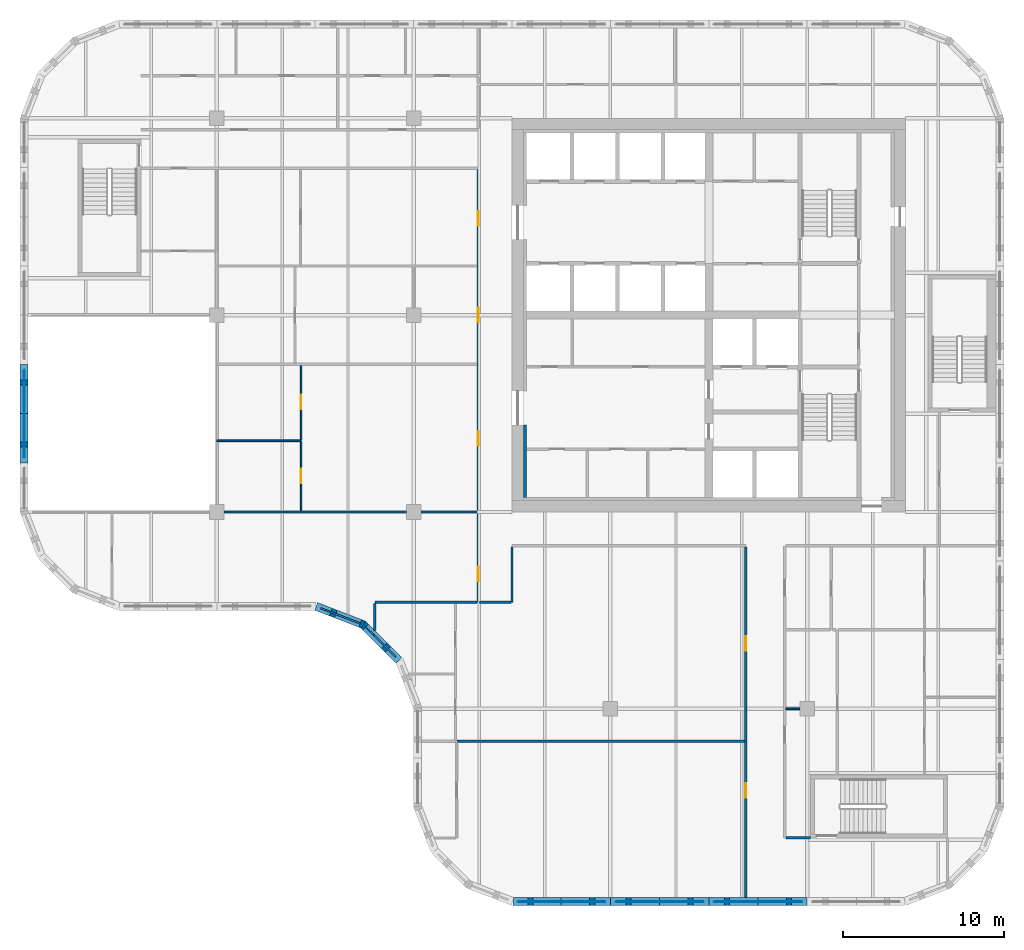
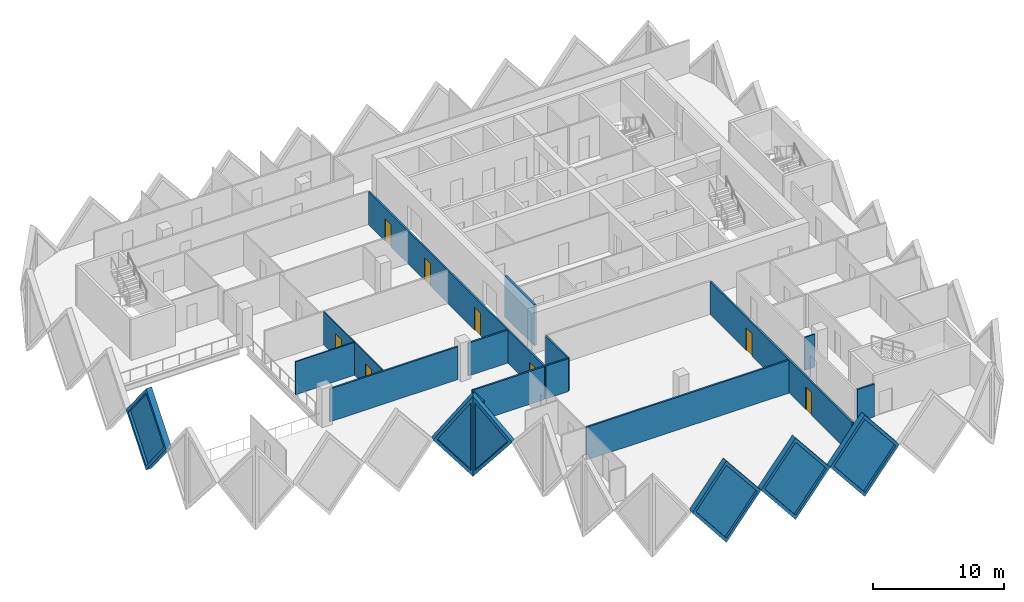
# One storey, part 4 of 12: 21 walls, 8 doors, 6 plates, 14 openings.
"""IFC4 building model written with IfcOpenShell, lengths in metres."""

from ifc_helpers import new_model, si_unit, direction, frame, frame_2d, origin, place, context, subcontext, project, spatial, polyline, rectangle, outline, extrude, faceted_brep, source, transform, mapped, material, layer, layer_set, type_object, element, fill, save


model = new_model("IFC4")

# Units and contexts
model_context = context("Model", 3, precision=1e-05, world=origin(), true_north=direction((0.0, 1.0)))
body_context = subcontext(model_context, "Body", "Model", "MODEL_VIEW")
ifc_project = project(units=[si_unit("LENGTHUNIT", "METRE"), si_unit("AREAUNIT", "SQUARE_METRE"), si_unit("VOLUMEUNIT", "CUBIC_METRE"), si_unit("PLANEANGLEUNIT", "RADIAN"), si_unit("MASSUNIT", "GRAM", prefix="KILO")], contexts=[model_context])

# Site, building, storey
site_placement = place(None, origin())
site = spatial("IfcSite", under=ifc_project, at=site_placement, CompositionType="ELEMENT")
building_placement = place(site_placement, origin())
building = spatial("IfcBuilding", under=site, at=building_placement, Name="Tessera Gate Towers", CompositionType="ELEMENT")
storey_placement = place(building_placement, frame((0.0, 0.0, 139.199951171875)))
storey = spatial("IfcBuildingStorey", under=building, at=storey_placement, Name="L34", CompositionType="ELEMENT", Elevation=139.199951171875)

# Wall
ifc_material_1 = material(Name="Concrete C60/75", Category="concrete")
ifc_layer_1 = layer(ifc_material_1, 0.199951171875)
ifc_layer_set_1 = layer_set([ifc_layer_1], Name="CORE WALL THICKENING 200")
wall_type_1 = type_object("IfcWallType", Name="CORE WALL THICKENING 200", PredefinedType="SOLIDWALL", material=ifc_layer_set_1)
wall_1_placement = place(storey_placement, frame((31.300048828125, 25.300048828125, 0.0), z_axis=(0.0, 0.0, 1.0), x_axis=(0.0, 1.0, 0.0)))
element("IfcWall", 1, at=wall_1_placement, inside=storey, type_object=wall_type_1, Name="Core wall thickening W L34", PredefinedType="SOLIDWALL", context=body_context, shape_type="SweptSolid", body=[
    extrude(rectangle(XDim=4.5, YDim=0.199951171875, at=frame_2d((2.25, 0.0))), origin(), (0.0, 0.0, 1.0), 3.800048828125),
])

# Wall, openings, doors
ifc_material_2 = material(Name="Gypsum board on steel studs, mineral wool", Category="steel")
ifc_layer_2 = layer(ifc_material_2, 0.14990234375)
ifc_layer_set_2 = layer_set([ifc_layer_2], Name="CORRIDOR WALL 150")
wall_type_2 = type_object("IfcWallType", Name="CORRIDOR WALL 150", PredefinedType="PARTITIONING", material=ifc_layer_set_2)
wall_2_placement = place(storey_placement, frame((45.0, 0.5, 0.0), z_axis=(0.0, 0.0, 1.0), x_axis=(0.0, 1.0, 0.0)))
wall_2 = element("IfcWall", 2, at=wall_2_placement, inside=storey, type_object=wall_type_2, Name="T1-L34-PW-001", PredefinedType="PARTITIONING", context=body_context, shape_type="SweptSolid", body=[
    extrude(rectangle(XDim=21.72412109375, YDim=0.14990234375, at=frame_2d((10.862060546875, 0.0))), origin(), (0.0, 0.0, 1.0), 3.067138671875),
])
shared_shape_1 = source(origin(), body_context, "Body", "SweptSolid", [
    extrude(rectangle(XDim=0.89990234375, YDim=2.10009765625, at=frame_2d((0.449951171875, 1.050048828125))), frame((0.0, 0.0849609375, 0.0), z_axis=(0.0, -1.0, 0.0), x_axis=(1.0, 0.0, 0.0)), (0.0, 0.0, 1.0), 0.169921875),
])
opening_1_placement = place(wall_2_placement, frame((6.199951171875, 0.0, 0.0)))
opening_1 = element("IfcOpeningElement", 3, at=opening_1_placement, cuts=wall_2, Name="Opening D890FD60-A12-04", PredefinedType="OPENING", context=body_context, shape_type="MappedRepresentation", body=[
    mapped(shared_shape_1, transform((0.0, 0.0, 0.0), scale=1.0)),
])
opening_2_placement = place(wall_2_placement, frame((15.300048828125, 0.0, 0.0)))
opening_2 = element("IfcOpeningElement", 4, at=opening_2_placement, cuts=wall_2, Name="Opening D890FD60-A12-08", PredefinedType="OPENING", context=body_context, shape_type="MappedRepresentation", body=[
    mapped(shared_shape_1, transform((0.0, 0.0, 0.0), scale=1.0)),
])
ifc_material_3 = material(Name="Timber door leaf in steel frame", Category="steel")
door_type_1 = type_object("IfcDoorType", Name="CORRIDOR DOOR 900 FD60", OperationType="NOTDEFINED", PredefinedType="DOOR", material=ifc_material_3)
shared_shape_2 = source(origin(), body_context, "Body", "SweptSolid", [
    extrude(rectangle(XDim=0.89990234375, YDim=2.10009765625, at=frame_2d((0.449951171875, 1.050048828125))), frame((0.0, 0.02490234375, 0.0), z_axis=(0.0, -1.0, 0.0), x_axis=(1.0, 0.0, 0.0)), (0.0, 0.0, 1.0), 0.050048828125),
])
door_1_placement = place(opening_1_placement, origin())
door_1 = element("IfcDoor", 5, at=door_1_placement, inside=storey, type_object=door_type_1, Name="T1-L34-PD-020", OperationType="SINGLE_SWING_LEFT", OverallHeight=2.10009765625, OverallWidth=0.89990234375, PredefinedType="DOOR", context=body_context, shape_type="MappedRepresentation", body=[
    mapped(shared_shape_2, transform((0.0, 0.0, 0.0), scale=1.0)),
])
fill(opening_1, door_1)
door_2_placement = place(opening_2_placement, origin())
door_2 = element("IfcDoor", 6, at=door_2_placement, inside=storey, type_object=door_type_1, Name="T1-L34-PD-028", OperationType="SINGLE_SWING_LEFT", OverallHeight=2.10009765625, OverallWidth=0.89990234375, PredefinedType="DOOR", context=body_context, shape_type="MappedRepresentation", body=[
    mapped(shared_shape_2, transform((0.0, 0.0, 0.0), scale=1.0)),
])
fill(opening_2, door_2)

# Wall
wall_3_placement = place(storey_placement, frame((47.47607421875, 4.199951171875, 0.0), z_axis=(0.0, 0.0, 1.0), x_axis=(1.0, 0.0, 0.0)))
element("IfcWall", 7, at=wall_3_placement, inside=storey, type_object=wall_type_2, Name="T1-L34-PW-006", PredefinedType="PARTITIONING", context=body_context, shape_type="SweptSolid", body=[
    extrude(rectangle(XDim=1.52392578125, YDim=0.14990234375, at=frame_2d((0.761962890625, 0.0))), origin(), (0.0, 0.0, 1.0), 3.067138671875),
])

# Wall, openings, doors
wall_4_placement = place(storey_placement, frame((28.39990234375, 18.800048828125, 0.0), z_axis=(0.0, 0.0, 1.0), x_axis=(0.0, 1.0, 0.0)))
wall_4 = element("IfcWall", 8, at=wall_4_placement, inside=storey, type_object=wall_type_2, Name="T1-L34-PW-022", PredefinedType="PARTITIONING", context=body_context, shape_type="SweptSolid", body=[
    extrude(rectangle(XDim=26.823974609375, YDim=0.14990234375, at=frame_2d((13.412109375, 0.0))), origin(), (0.0, 0.0, 1.0), 3.067138671875),
])
opening_3_placement = place(wall_4_placement, frame((1.300048828125, 0.0, 0.0)))
opening_3 = element("IfcOpeningElement", 9, at=opening_3_placement, cuts=wall_4, Name="Opening D890FD60-A12-01", PredefinedType="OPENING", context=body_context, shape_type="MappedRepresentation", body=[
    mapped(shared_shape_1, transform((0.0, 0.0, 0.0), scale=1.0)),
])
opening_4_placement = place(wall_4_placement, frame((23.35107421875, 0.0, 0.0)))
opening_4 = element("IfcOpeningElement", 10, at=opening_4_placement, cuts=wall_4, Name="Opening D890FD60-A12-03", PredefinedType="OPENING", context=body_context, shape_type="MappedRepresentation", body=[
    mapped(shared_shape_1, transform((0.0, 0.0, 0.0), scale=1.0)),
])
opening_5_placement = place(wall_4_placement, frame((17.35107421875, 0.0, 0.0)))
opening_5 = element("IfcOpeningElement", 11, at=opening_5_placement, cuts=wall_4, Name="Opening D890FD60-A12-05", PredefinedType="OPENING", context=body_context, shape_type="MappedRepresentation", body=[
    mapped(shared_shape_1, transform((0.0, 0.0, 0.0), scale=1.0)),
])
opening_6_placement = place(wall_4_placement, frame((9.699951171875, 0.0, 0.0)))
opening_6 = element("IfcOpeningElement", 12, at=opening_6_placement, cuts=wall_4, Name="Opening D890FD60-A12-07", PredefinedType="OPENING", context=body_context, shape_type="MappedRepresentation", body=[
    mapped(shared_shape_1, transform((0.0, 0.0, 0.0), scale=1.0)),
])
door_3_placement = place(opening_3_placement, origin())
door_3 = element("IfcDoor", 13, at=door_3_placement, inside=storey, type_object=door_type_1, Name="T1-L34-PD-001", OperationType="SINGLE_SWING_LEFT", OverallHeight=2.10009765625, OverallWidth=0.89990234375, PredefinedType="DOOR", context=body_context, shape_type="MappedRepresentation", body=[
    mapped(shared_shape_2, transform((0.0, 0.0, 0.0), scale=1.0)),
])
fill(opening_3, door_3)
door_4_placement = place(opening_4_placement, origin())
door_4 = element("IfcDoor", 14, at=door_4_placement, inside=storey, type_object=door_type_1, Name="T1-L34-PD-019", OperationType="SINGLE_SWING_LEFT", OverallHeight=2.10009765625, OverallWidth=0.89990234375, PredefinedType="DOOR", context=body_context, shape_type="MappedRepresentation", body=[
    mapped(shared_shape_2, transform((0.0, 0.0, 0.0), scale=1.0)),
])
fill(opening_4, door_4)
door_5_placement = place(opening_5_placement, origin())
door_5 = element("IfcDoor", 15, at=door_5_placement, inside=storey, type_object=door_type_1, Name="T1-L34-PD-021", OperationType="SINGLE_SWING_LEFT", OverallHeight=2.10009765625, OverallWidth=0.89990234375, PredefinedType="DOOR", context=body_context, shape_type="MappedRepresentation", body=[
    mapped(shared_shape_2, transform((0.0, 0.0, 0.0), scale=1.0)),
])
fill(opening_5, door_5)
door_6_placement = place(opening_6_placement, origin())
door_6 = element("IfcDoor", 16, at=door_6_placement, inside=storey, type_object=door_type_1, Name="T1-L34-PD-027", OperationType="SINGLE_SWING_LEFT", OverallHeight=2.10009765625, OverallWidth=0.89990234375, PredefinedType="DOOR", context=body_context, shape_type="MappedRepresentation", body=[
    mapped(shared_shape_2, transform((0.0, 0.0, 0.0), scale=1.0)),
])
fill(opening_6, door_6)

# Walls
wall_5_placement = place(storey_placement, frame((28.47607421875, 18.800048828125, 0.0), z_axis=(0.0, 0.0, 1.0), x_axis=(1.0, 0.0, 0.0)))
element("IfcWall", 17, at=wall_5_placement, inside=storey, type_object=wall_type_2, Name="T1-L34-PW-023", PredefinedType="PARTITIONING", context=body_context, shape_type="SweptSolid", body=[
    extrude(rectangle(XDim=1.947998046875, YDim=0.14990234375, at=frame_2d((0.97412109375, 0.0))), origin(), (0.0, 0.0, 1.0), 3.067138671875),
])
wall_6_placement = place(storey_placement, frame((30.5, 18.800048828125, 0.0), z_axis=(0.0, 0.0, 1.0), x_axis=(0.0, 1.0, 0.0)))
element("IfcWall", 18, at=wall_6_placement, inside=storey, type_object=wall_type_2, Name="T1-L34-PW-024", PredefinedType="PARTITIONING", context=body_context, shape_type="SweptSolid", body=[
    extrude(rectangle(XDim=3.424072265625, YDim=0.14990234375, at=frame_2d((1.7119140625, 0.0))), origin(), (0.0, 0.0, 1.0), 3.067138671875),
])
ifc_material_4 = material(Name="Gypsum board on steel studs", Category="steel")
ifc_layer_3 = layer(ifc_material_4, 0.10009765625)
ifc_layer_set_3 = layer_set([ifc_layer_3], Name="PARTITION 100")
wall_type_3 = type_object("IfcWallType", Name="PARTITION 100", PredefinedType="PARTITIONING", material=ifc_layer_set_3)
wall_7_placement = place(storey_placement, frame((48.35009765625, 12.199951171875, 0.0), z_axis=(0.0, 0.0, 1.0), x_axis=(-1.0, 0.0, 0.0)))
element("IfcWall", 19, at=wall_7_placement, inside=storey, type_object=wall_type_3, Name="T1-L34-PW-012", PredefinedType="PARTITIONING", context=body_context, shape_type="SweptSolid", body=[
    extrude(rectangle(XDim=0.875, YDim=0.10009765625, at=frame_2d((0.4375, 0.0))), origin(), (0.0, 0.0, 1.0), 3.067138671875),
])

# Wall, opening, door
wall_8_placement = place(storey_placement, frame((17.425048828125, 24.47607421875, 0.0), z_axis=(0.0, 0.0, 1.0), x_axis=(0.0, 1.0, 0.0)))
wall_8 = element("IfcWall", 20, at=wall_8_placement, inside=storey, type_object=wall_type_3, Name="T1-L34-PW-032", PredefinedType="PARTITIONING", context=body_context, shape_type="SweptSolid", body=[
    extrude(rectangle(XDim=4.293212890625, YDim=0.10009765625, at=frame_2d((2.146484375, 0.0))), origin(), (0.0, 0.0, 1.0), 3.067138671875),
])
shared_shape_3 = source(origin(), body_context, "Body", "SweptSolid", [
    extrude(rectangle(XDim=0.89990234375, YDim=2.10009765625, at=frame_2d((0.449951171875, 1.050048828125))), frame((0.0, 0.06005859375, 0.0), z_axis=(0.0, -1.0, 0.0), x_axis=(1.0, 0.0, 0.0)), (0.0, 0.0, 1.0), 0.1201171875),
])
opening_7_placement = place(wall_8_placement, frame((1.699951171875, 0.0, 0.0)))
opening_7 = element("IfcOpeningElement", 21, at=opening_7_placement, cuts=wall_8, Name="Opening D190-A12-04", PredefinedType="OPENING", context=body_context, shape_type="MappedRepresentation", body=[
    mapped(shared_shape_3, transform((0.0, 0.0, 0.0), scale=1.0)),
])
ifc_material_5 = material(Name="Timber door leaf in steel frame", Category="steel")
door_type_2 = type_object("IfcDoorType", Name="INTERNAL DOOR 900 NOT RATED", OperationType="NOTDEFINED", PredefinedType="DOOR", material=ifc_material_5)
door_7_placement = place(opening_7_placement, origin())
door_7 = element("IfcDoor", 22, at=door_7_placement, inside=storey, type_object=door_type_2, Name="T1-L34-PD-005", OperationType="SINGLE_SWING_LEFT", OverallHeight=2.10009765625, OverallWidth=0.89990234375, PredefinedType="DOOR", context=body_context, shape_type="MappedRepresentation", body=[
    mapped(shared_shape_2, transform((0.0, 0.0, 0.0), scale=1.0)),
])
fill(opening_7, door_7)

# Wall
wall_9_placement = place(storey_placement, frame((12.199951171875, 28.820068359375, 0.0), z_axis=(0.0, 0.0, 1.0), x_axis=(1.0, 0.0, 0.0)))
element("IfcWall", 23, at=wall_9_placement, inside=storey, type_object=wall_type_3, Name="T1-L34-PW-033", PredefinedType="PARTITIONING", context=body_context, shape_type="SweptSolid", body=[
    extrude(rectangle(XDim=5.22509765625, YDim=0.10009765625, at=frame_2d((2.612548828125, 0.0))), origin(), (0.0, 0.0, 1.0), 3.067138671875),
])

# Wall, opening, door
wall_10_placement = place(storey_placement, frame((17.425048828125, 28.871337890625, 0.0), z_axis=(0.0, 0.0, 1.0), x_axis=(0.0, 1.0, 0.0)))
wall_10 = element("IfcWall", 24, at=wall_10_placement, inside=storey, type_object=wall_type_3, Name="T1-L34-PW-034", PredefinedType="PARTITIONING", context=body_context, shape_type="SweptSolid", body=[
    extrude(rectangle(XDim=4.602783203125, YDim=0.10009765625, at=frame_2d((2.30126953125, 0.0))), origin(), (0.0, 0.0, 1.0), 3.067138671875),
])
opening_8_placement = place(wall_10_placement, frame((1.89990234375, 0.0, 0.0)))
opening_8 = element("IfcOpeningElement", 25, at=opening_8_placement, cuts=wall_10, Name="Opening D190-A12-07", PredefinedType="OPENING", context=body_context, shape_type="MappedRepresentation", body=[
    mapped(shared_shape_3, transform((0.0, 0.0, 0.0), scale=1.0)),
])
door_8_placement = place(opening_8_placement, origin())
door_8 = element("IfcDoor", 26, at=door_8_placement, inside=storey, type_object=door_type_2, Name="T1-L34-PD-008", OperationType="SINGLE_SWING_LEFT", OverallHeight=2.10009765625, OverallWidth=0.89990234375, PredefinedType="DOOR", context=body_context, shape_type="MappedRepresentation", body=[
    mapped(shared_shape_2, transform((0.0, 0.0, 0.0), scale=1.0)),
])
fill(opening_8, door_8)

# Walls
ifc_material_6 = material(Name="Gypsum board on steel studs, mineral wool", Category="steel")
ifc_layer_4 = layer(ifc_material_6, 0.14990234375)
ifc_layer_set_4 = layer_set([ifc_layer_4], Name="TENANCY WALL 150")
wall_type_4 = type_object("IfcWallType", Name="TENANCY WALL 150", PredefinedType="PARTITIONING", material=ifc_layer_set_4)
wall_11_placement = place(storey_placement, frame((27.074951171875, 10.199951171875, 0.0), z_axis=(0.0, 0.0, 1.0), x_axis=(1.0, 0.0, 0.0)))
element("IfcWall", 27, at=wall_11_placement, inside=storey, type_object=wall_type_4, Name="T1-L34-PW-010", PredefinedType="PARTITIONING", context=body_context, shape_type="SweptSolid", body=[
    extrude(rectangle(XDim=17.84912109375, YDim=0.14990234375, at=frame_2d((8.924560546875, 0.0))), origin(), (0.0, 0.0, 1.0), 3.067138671875),
])
wall_12_placement = place(storey_placement, frame((22.0, 17.054931640625, 0.0), z_axis=(0.0, 0.0, 1.0), x_axis=(0.0, 1.0, 0.0)))
element("IfcWall", 28, at=wall_12_placement, inside=storey, type_object=wall_type_4, Name="T1-L34-PW-015", PredefinedType="PARTITIONING", context=body_context, shape_type="SweptSolid", body=[
    extrude(rectangle(XDim=1.669189453125, YDim=0.14990234375, at=frame_2d((0.83447265625, 0.0))), origin(), (0.0, 0.0, 1.0), 3.067138671875),
])
wall_13_placement = place(storey_placement, frame((22.0, 18.800048828125, 0.0), z_axis=(0.0, 0.0, 1.0), x_axis=(1.0, 0.0, 0.0)))
element("IfcWall", 29, at=wall_13_placement, inside=storey, type_object=wall_type_4, Name="T1-L34-PW-021", PredefinedType="PARTITIONING", context=body_context, shape_type="SweptSolid", body=[
    extrude(rectangle(XDim=6.323974609375, YDim=0.14990234375, at=frame_2d((3.162109375, 0.0))), origin(), (0.0, 0.0, 1.0), 3.067138671875),
])
wall_14_placement = place(storey_placement, frame((12.65087890625, 24.39990234375, 0.0), z_axis=(0.0, 0.0, 1.0), x_axis=(1.0, 0.0, 0.0)))
element("IfcWall", 30, at=wall_14_placement, inside=storey, type_object=wall_type_4, Name="T1-L34-PW-030", PredefinedType="PARTITIONING", context=body_context, shape_type="SweptSolid", body=[
    extrude(rectangle(XDim=11.298095703125, YDim=0.14990234375, at=frame_2d((5.64892578125, 0.0))), origin(), (0.0, 0.0, 1.0), 3.067138671875),
])
wall_15_placement = place(storey_placement, frame((24.85107421875, 24.39990234375, 0.0), z_axis=(0.0, 0.0, 1.0), x_axis=(1.0, 0.0, 0.0)))
element("IfcWall", 31, at=wall_15_placement, inside=storey, type_object=wall_type_4, Name="T1-L34-PW-031", PredefinedType="PARTITIONING", context=body_context, shape_type="SweptSolid", body=[
    extrude(rectangle(XDim=3.472900390625, YDim=0.14990234375, at=frame_2d((1.736328125, 0.0))), origin(), (0.0, 0.0, 1.0), 3.067138671875),
])

# Wall, opening, plate
ifc_material_7 = material(Name="Precast concrete C60/75 white", Category="concrete")
ifc_layer_5 = layer(ifc_material_7, 0.5)
ifc_layer_set_5 = layer_set([ifc_layer_5], Name="TS1 tessera")
wall_type_5 = type_object("IfcWallType", Name="TS1 tessera", PredefinedType="SOLIDWALL", material=ifc_layer_set_5)
shared_shape_4 = source(origin(), body_context, "Body", "Brep", [
    faceted_brep([(3.00341796875, -0.25, 0.0), (6.053466796875, -0.25, 3.800048828125), (3.00341796875, -0.25, 7.60009765625), (0.0, -0.25, 3.800048828125), (0.046630859375, 0.25, 3.85888671875), (3.00341796875, 0.25, 7.60009765625), (6.053466796875, 0.25, 3.800048828125), (3.00341796875, 0.25, 0.0), (0.046630859375, 0.25, 3.7412109375), (0.0, 0.0, 3.800048828125)], [[[0, 1, 2, 3]], [[4, 5, 6, 7, 8]], [[7, 6, 1, 0]], [[6, 5, 2, 1]], [[5, 4, 9, 3, 2]], [[8, 7, 0, 3, 9]], [[8, 9, 4]]]),
])
wall_16_placement = place(storey_placement, frame((30.546630859375, 0.25, -3.800048828125), z_axis=(0.0, 0.0, 1.0), x_axis=(1.0, 0.0, 0.0)))
wall_16 = element("IfcWall", 32, at=wall_16_placement, inside=storey, type_object=wall_type_5, Name="Precast tessera T1 TS1-0575", PredefinedType="SOLIDWALL", context=body_context, shape_type="MappedRepresentation", body=[
    mapped(shared_shape_4, transform((0.0, 0.0, 0.0), scale=1.0)),
])
shared_shape_5 = source(origin(), body_context, "Body", "SweptSolid", [
    extrude(outline(polyline([(3.0048828125, 0.4013671875), (5.73291015625, 3.800048828125), (3.0048828125, 7.19873046875), (0.318603515625, 3.800048828125), (3.0048828125, 0.4013671875)])), frame((0.0, 0.260009765625, 0.0), z_axis=(0.0, -1.0, 0.0), x_axis=(1.0, 0.0, 0.0)), (0.0, 0.0, 1.0), 0.52001953125),
])
opening_9_placement = place(wall_16_placement, origin())
opening_9 = element("IfcOpeningElement", 33, at=opening_9_placement, cuts=wall_16, Name="Opening T1-PL2-1175", PredefinedType="OPENING", context=body_context, shape_type="MappedRepresentation", body=[
    mapped(shared_shape_5, transform((0.0, 0.0, 0.0), scale=1.0)),
])
ifc_material_8 = material(Name="Low-e laminated glass", Category="glass")
ifc_layer_6 = layer(ifc_material_8, 0.06005859375)
ifc_layer_set_6 = layer_set([ifc_layer_6], Name="PL2 rhombic pane")
plate_type = type_object("IfcPlateType", Name="PL2 rhombic pane", PredefinedType="SHEET", material=ifc_layer_set_6)
shared_shape_6 = source(origin(), body_context, "Body", "SweptSolid", [
    extrude(outline(polyline([(3.0048828125, 0.4013671875), (5.73291015625, 3.800048828125), (3.0048828125, 7.19873046875), (0.318603515625, 3.800048828125), (3.0048828125, 0.4013671875)])), frame((0.0, 0.030029296875, 0.0), z_axis=(0.0, -1.0, 0.0), x_axis=(1.0, 0.0, 0.0)), (0.0, 0.0, 1.0), 0.06005859375),
])
plate_1_placement = place(opening_9_placement, origin())
plate_1 = element("IfcPlate", 34, at=plate_1_placement, inside=storey, type_object=plate_type, Name="Glass pane T1 PL2-1175", PredefinedType="SHEET", context=body_context, shape_type="MappedRepresentation", body=[
    mapped(shared_shape_6, transform((0.0, 0.0, 0.0), scale=1.0)),
])
fill(opening_9, plate_1)

shared_shape_7 = source(origin(), body_context, "Body", "Brep", [
    faceted_brep([(3.050048828125, -0.25, 0.0), (6.099853515625, -0.25, 3.7998046875), (6.099853515625, -0.25, 3.80029296875), (3.050048828125, -0.25, 7.60009765625), (0.0, -0.25, 3.800048828125), (0.0, 0.25, 3.800048828125), (3.050048828125, 0.25, 7.60009765625), (6.099853515625, 0.25, 3.80029296875), (6.099853515625, 0.25, 3.7998046875), (3.050048828125, 0.25, 0.0)], [[[0, 1, 2, 3, 4]], [[5, 6, 7, 8, 9]], [[9, 8, 1, 0]], [[7, 6, 3, 2]], [[6, 5, 4, 3]], [[5, 9, 0, 4]], [[1, 8, 7, 2]]]),
])
wall_17_placement = place(storey_placement, frame((36.60009765625, 0.25, -3.800048828125), z_axis=(0.0, 0.0, 1.0), x_axis=(1.0, 0.0, 0.0)))
wall_17 = element("IfcWall", 35, at=wall_17_placement, inside=storey, type_object=wall_type_5, Name="Precast tessera T1 TS1-0576", PredefinedType="SOLIDWALL", context=body_context, shape_type="MappedRepresentation", body=[
    mapped(shared_shape_7, transform((0.0, 0.0, 0.0), scale=1.0)),
])
shared_shape_8 = source(origin(), body_context, "Body", "SweptSolid", [
    extrude(outline(polyline([(3.050048828125, 0.3994140625), (5.779541015625, 3.800048828125), (3.050048828125, 7.20068359375), (0.320556640625, 3.800048828125), (3.050048828125, 0.3994140625)])), frame((0.0, 0.260009765625, 0.0), z_axis=(0.0, -1.0, 0.0), x_axis=(1.0, 0.0, 0.0)), (0.0, 0.0, 1.0), 0.52001953125),
])
opening_10_placement = place(wall_17_placement, origin())
opening_10 = element("IfcOpeningElement", 36, at=opening_10_placement, cuts=wall_17, Name="Opening T1-PL2-1176", PredefinedType="OPENING", context=body_context, shape_type="MappedRepresentation", body=[
    mapped(shared_shape_8, transform((0.0, 0.0, 0.0), scale=1.0)),
])
shared_shape_9 = source(origin(), body_context, "Body", "SweptSolid", [
    extrude(outline(polyline([(3.050048828125, 0.3994140625), (5.779541015625, 3.800048828125), (3.050048828125, 7.20068359375), (0.320556640625, 3.800048828125), (3.050048828125, 0.3994140625)])), frame((0.0, 0.030029296875, 0.0), z_axis=(0.0, -1.0, 0.0), x_axis=(1.0, 0.0, 0.0)), (0.0, 0.0, 1.0), 0.06005859375),
])
plate_2_placement = place(opening_10_placement, origin())
plate_2 = element("IfcPlate", 37, at=plate_2_placement, inside=storey, type_object=plate_type, Name="Glass pane T1 PL2-1176", PredefinedType="SHEET", context=body_context, shape_type="MappedRepresentation", body=[
    mapped(shared_shape_9, transform((0.0, 0.0, 0.0), scale=1.0)),
])
fill(opening_10, plate_2)

shared_shape_10 = source(origin(), body_context, "Body", "SweptSolid", [
    extrude(outline(polyline([(3.050048828125, 0.0), (6.10009765625, 3.800048828125), (3.050048828125, 7.60009765625), (0.0, 3.800048828125), (3.050048828125, 0.0)])), frame((0.0, 0.25, 0.0), z_axis=(0.0, -1.0, 0.0), x_axis=(1.0, 0.0, 0.0)), (0.0, 0.0, 1.0), 0.5),
])
wall_18_placement = place(storey_placement, frame((42.699951171875, 0.25, -3.800048828125), z_axis=(0.0, 0.0, 1.0), x_axis=(1.0, 0.0, 0.0)))
wall_18 = element("IfcWall", 38, at=wall_18_placement, inside=storey, type_object=wall_type_5, Name="Precast tessera T1 TS1-0577", PredefinedType="SOLIDWALL", context=body_context, shape_type="MappedRepresentation", body=[
    mapped(shared_shape_10, transform((0.0, 0.0, 0.0), scale=1.0)),
])
opening_11_placement = place(wall_18_placement, origin())
opening_11 = element("IfcOpeningElement", 39, at=opening_11_placement, cuts=wall_18, Name="Opening T1-PL2-1177", PredefinedType="OPENING", context=body_context, shape_type="MappedRepresentation", body=[
    mapped(shared_shape_8, transform((0.0, 0.0, 0.0), scale=1.0)),
])
plate_3_placement = place(opening_11_placement, origin())
plate_3 = element("IfcPlate", 40, at=plate_3_placement, inside=storey, type_object=plate_type, Name="Glass pane T1 PL2-1177", PredefinedType="SHEET", context=body_context, shape_type="MappedRepresentation", body=[
    mapped(shared_shape_9, transform((0.0, 0.0, 0.0), scale=1.0)),
])
fill(opening_11, plate_3)

wall_19_placement = place(storey_placement, frame((0.25, 33.550048828125, -3.800048828125), z_axis=(0.0, 0.0, 1.0), x_axis=(0.0, -1.0, 0.0)))
wall_19 = element("IfcWall", 41, at=wall_19_placement, inside=storey, type_object=wall_type_5, Name="Precast tessera T1 TS1-0595", PredefinedType="SOLIDWALL", context=body_context, shape_type="MappedRepresentation", body=[
    mapped(shared_shape_10, transform((0.0, 0.0, 0.0), scale=1.0)),
])
opening_12_placement = place(wall_19_placement, origin())
opening_12 = element("IfcOpeningElement", 42, at=opening_12_placement, cuts=wall_19, Name="Opening T1-PL2-1207", PredefinedType="OPENING", context=body_context, shape_type="MappedRepresentation", body=[
    mapped(shared_shape_8, transform((0.0, 0.0, 0.0), scale=1.0)),
])
plate_4_placement = place(opening_12_placement, origin())
plate_4 = element("IfcPlate", 43, at=plate_4_placement, inside=storey, type_object=plate_type, Name="Glass pane T1 PL2-1207", PredefinedType="SHEET", context=body_context, shape_type="MappedRepresentation", body=[
    mapped(shared_shape_9, transform((0.0, 0.0, 0.0), scale=1.0)),
])
fill(opening_12, plate_4)

ifc_material_9 = material(Name="Precast concrete C60/75 white", Category="concrete")
ifc_layer_7 = layer(ifc_material_9, 0.5)
ifc_layer_set_7 = layer_set([ifc_layer_7], Name="TS3 corner tessera")
wall_type_6 = type_object("IfcWallType", Name="TS3 corner tessera", PredefinedType="SOLIDWALL", material=ifc_layer_set_7)
shared_shape_11 = source(origin(), body_context, "Body", "Brep", [
    faceted_brep([(3.096435546875, -0.25, 7.536376953125), (0.046630859375, -0.25, 3.856201171875), (0.046630859375, -0.25, 3.743896484375), (3.096435546875, -0.25, 0.063720703125), (0.0, 0.25, 3.800048828125), (3.1494140625, 0.25, 7.60009765625), (3.202392578125, 0.25, 7.536376953125), (3.202392578125, 0.25, 0.063720703125), (3.1494140625, 0.25, 0.0), (3.1494140625, -0.000244140625, 0.0), (3.1494140625, -0.000244140625, 7.60009765625), (0.0, 0.0, 3.800048828125)], [[[0, 1, 2, 3]], [[4, 5, 6, 7, 8]], [[8, 7, 9]], [[6, 5, 10]], [[5, 4, 11, 1, 0, 10]], [[4, 8, 9, 3, 2, 11]], [[11, 2, 1]], [[3, 9, 7, 6, 10, 0]]]),
])
wall_20_placement = place(storey_placement, frame((18.346435546875, 18.550048828125, -3.800048828125), z_axis=(0.0, 0.0, 1.0), x_axis=(0.932985567668, -0.359913782069, 0.0)))
wall_20 = element("IfcWall", 44, at=wall_20_placement, inside=storey, type_object=wall_type_6, Name="Precast corner tessera T1 TS3-0785", PredefinedType="SOLIDWALL", context=body_context, shape_type="MappedRepresentation", body=[
    mapped(shared_shape_11, transform((0.0, 0.0, 0.0), scale=1.0)),
])
shared_shape_12 = source(origin(), body_context, "Body", "SweptSolid", [
    extrude(outline(polyline([(2.949462890625, 6.967041015625), (0.32470703125, 3.800048828125), (2.949462890625, 0.63330078125), (2.949462890625, 6.967041015625)])), frame((0.0, 0.260009765625, 0.0), z_axis=(0.0, -1.0, 0.0), x_axis=(1.0, 0.0, 0.0)), (0.0, 0.0, 1.0), 0.52001953125),
])
opening_13_placement = place(wall_20_placement, origin())
opening_13 = element("IfcOpeningElement", 45, at=opening_13_placement, cuts=wall_20, Name="Opening T1-PL2-1214", PredefinedType="OPENING", context=body_context, shape_type="MappedRepresentation", body=[
    mapped(shared_shape_12, transform((0.0, 0.0, 0.0), scale=1.0)),
])
shared_shape_13 = source(origin(), body_context, "Body", "SweptSolid", [
    extrude(outline(polyline([(2.949462890625, 6.967041015625), (0.32470703125, 3.800048828125), (2.949462890625, 0.63330078125), (2.949462890625, 6.967041015625)])), frame((0.0, 0.030029296875, 0.0), z_axis=(0.0, -1.0, 0.0), x_axis=(1.0, 0.0, 0.0)), (0.0, 0.0, 1.0), 0.06005859375),
])
plate_5_placement = place(opening_13_placement, origin())
plate_5 = element("IfcPlate", 46, at=plate_5_placement, inside=storey, type_object=plate_type, Name="Glass pane T1 PL2-1214", PredefinedType="SHEET", context=body_context, shape_type="MappedRepresentation", body=[
    mapped(shared_shape_13, transform((0.0, 0.0, 0.0), scale=1.0)),
])
fill(opening_13, plate_5)

shared_shape_14 = source(origin(), body_context, "Body", "Brep", [
    faceted_brep([(0.10595703125, -0.25, 0.063720703125), (3.156005859375, -0.25, 3.736328125), (3.156005859375, -0.25, 3.86376953125), (0.10595703125, -0.25, 7.536376953125), (0.0, 0.25, 7.5361328125), (0.052978515625, 0.25, 7.60009765625), (3.208740234375, 0.25, 3.800048828125), (0.052978515625, 0.25, 0.0), (0.0, 0.25, 0.06396484375), (3.208740234375, -0.00048828125, 3.800048828125), (0.052978515625, 0.0, 0.0), (0.052978515625, 0.0, 7.60009765625)], [[[0, 1, 2, 3]], [[4, 5, 6, 7, 8]], [[7, 6, 9, 1, 0, 10]], [[6, 5, 11, 3, 2, 9]], [[5, 4, 11]], [[8, 7, 10]], [[8, 10, 0, 3, 11, 4]], [[1, 9, 2]]]),
])
wall_21_placement = place(storey_placement, frame((21.24755859375, 17.453857421875, -3.800048828125), z_axis=(0.0, 0.0, 1.0), x_axis=(0.707106781187, -0.707106781187, 0.0)))
wall_21 = element("IfcWall", 47, at=wall_21_placement, inside=storey, type_object=wall_type_6, Name="Precast corner tessera T1 TS3-0786", PredefinedType="SOLIDWALL", context=body_context, shape_type="MappedRepresentation", body=[
    mapped(shared_shape_14, transform((0.0, 0.0, 0.0), scale=1.0)),
])
shared_shape_15 = source(origin(), body_context, "Body", "SweptSolid", [
    extrude(outline(polyline([(0.2529296875, 0.63232421875), (2.8837890625, 3.800048828125), (0.2529296875, 6.968017578125), (0.2529296875, 0.63232421875)])), frame((0.0, 0.260009765625, 0.0), z_axis=(0.0, -1.0, 0.0), x_axis=(1.0, 0.0, 0.0)), (0.0, 0.0, 1.0), 0.52001953125),
])
opening_14_placement = place(wall_21_placement, origin())
opening_14 = element("IfcOpeningElement", 48, at=opening_14_placement, cuts=wall_21, Name="Opening T1-PL2-1215", PredefinedType="OPENING", context=body_context, shape_type="MappedRepresentation", body=[
    mapped(shared_shape_15, transform((0.0, 0.0, 0.0), scale=1.0)),
])
shared_shape_16 = source(origin(), body_context, "Body", "SweptSolid", [
    extrude(outline(polyline([(0.2529296875, 0.63232421875), (2.8837890625, 3.800048828125), (0.2529296875, 6.968017578125), (0.2529296875, 0.63232421875)])), frame((0.0, 0.030029296875, 0.0), z_axis=(0.0, -1.0, 0.0), x_axis=(1.0, 0.0, 0.0)), (0.0, 0.0, 1.0), 0.06005859375),
])
plate_6_placement = place(opening_14_placement, origin())
plate_6 = element("IfcPlate", 49, at=plate_6_placement, inside=storey, type_object=plate_type, Name="Glass pane T1 PL2-1215", PredefinedType="SHEET", context=body_context, shape_type="MappedRepresentation", body=[
    mapped(shared_shape_16, transform((0.0, 0.0, 0.0), scale=1.0)),
])
fill(opening_14, plate_6)

save(model, "model.ifc")
